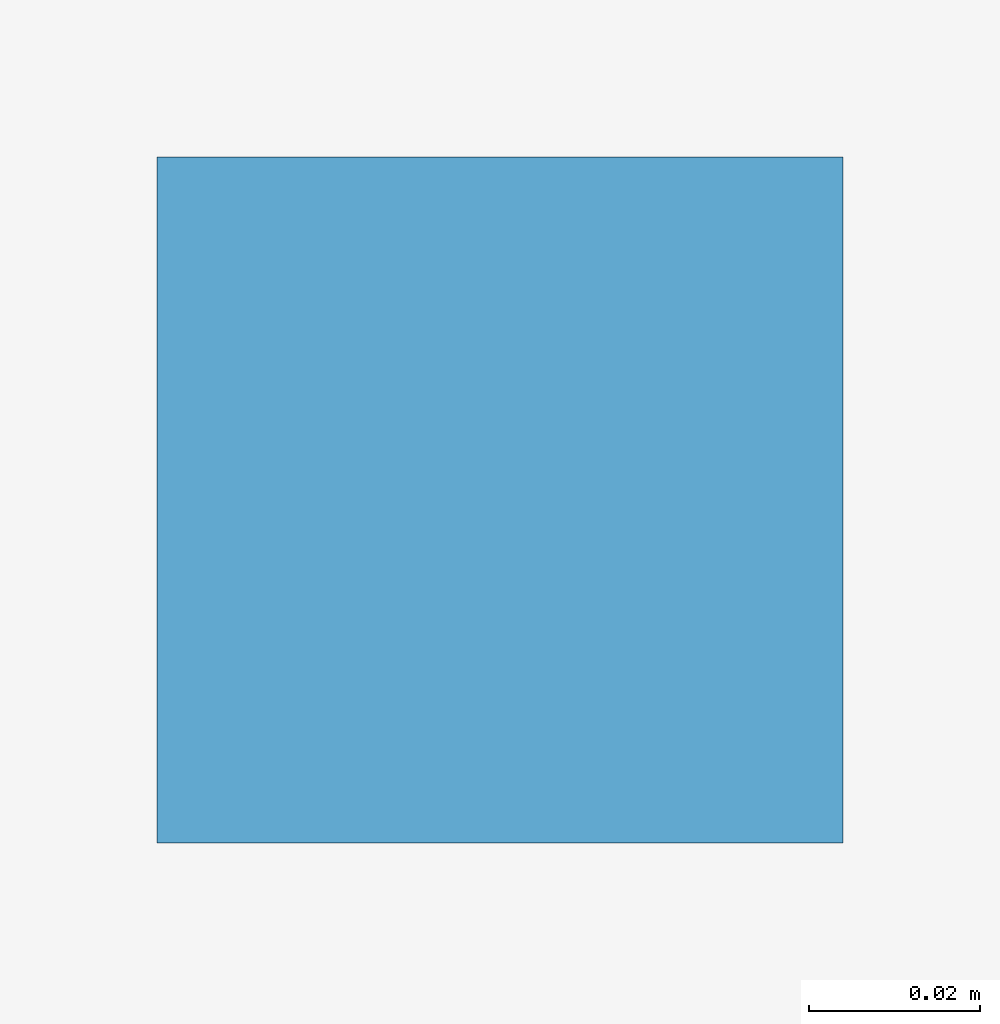
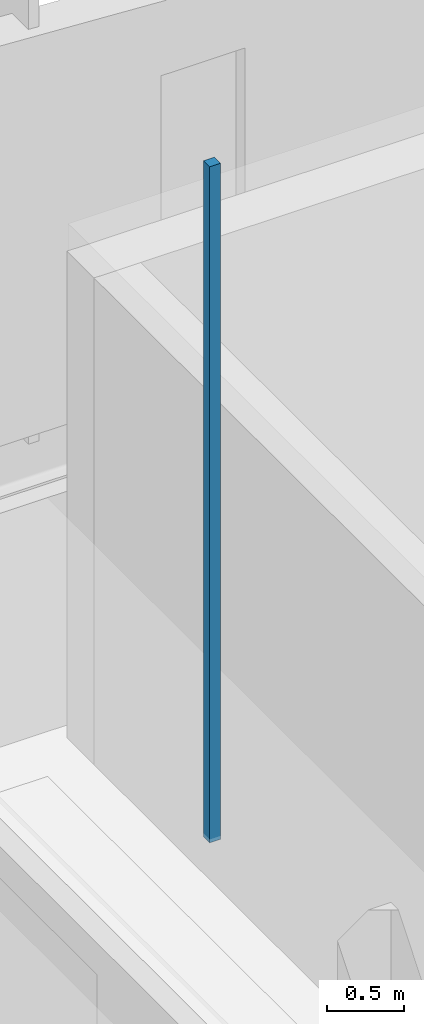
# One storey, part 106 of 114: 1 discrete accessory.
"""IFC4 building model written with IfcOpenShell, lengths in metres."""

from ifc_helpers import new_model, si_unit, direction, frame, origin, origin_2d, place, context, subcontext, project, spatial, rectangle, extrude, material, type_object, element, save


model = new_model("IFC4")

# Units and contexts
model_context = context("Model", 3, precision=1e-05, world=origin(), true_north=direction((0.0, 1.0)))
body_context = subcontext(model_context, "Body", "Model", "MODEL_VIEW")
ifc_project = project(units=[si_unit("LENGTHUNIT", "METRE"), si_unit("AREAUNIT", "SQUARE_METRE"), si_unit("VOLUMEUNIT", "CUBIC_METRE"), si_unit("PLANEANGLEUNIT", "RADIAN"), si_unit("MASSUNIT", "GRAM", prefix="KILO")], contexts=[model_context])

# Site, building, storey
site_placement = place(None, origin())
site = spatial("IfcSite", under=ifc_project, at=site_placement, CompositionType="ELEMENT")
building_placement = place(site_placement, origin())
building = spatial("IfcBuilding", under=site, at=building_placement, Name="Chalmorin Arch Market", CompositionType="ELEMENT")
storey_placement = place(building_placement, frame((0.0, 0.0, 9.60009765625)))
storey = spatial("IfcBuildingStorey", under=building, at=storey_placement, Name="L02", CompositionType="ELEMENT", Elevation=9.60009765625)

# Discrete accessory
ifc_material = material(Name="Galvanized Cold-Formed Steel", Category="steel")
discrete_accessory_type = type_object("IfcDiscreteAccessoryType", Name="CeilingSuspensionBracket-80x80", PredefinedType="BRACKET", material=ifc_material)
discrete_accessory_placement = place(storey_placement, frame((116.39990234375, 54.35009765625, 2.202880859375), z_axis=(0.0, 0.0, 1.0), x_axis=(1.0, 0.0, 0.0)))
element("IfcDiscreteAccessory", 1, at=discrete_accessory_placement, inside=storey, type_object=discrete_accessory_type, Name="CSB-208", PredefinedType="BRACKET", context=body_context, shape_type="SweptSolid", body=[
    extrude(rectangle(XDim=0.080078125, YDim=0.080078125, at=origin_2d()), origin(), (0.0, 0.0, 1.0), 5.34814453125),
])

save(model, "model.ifc")
